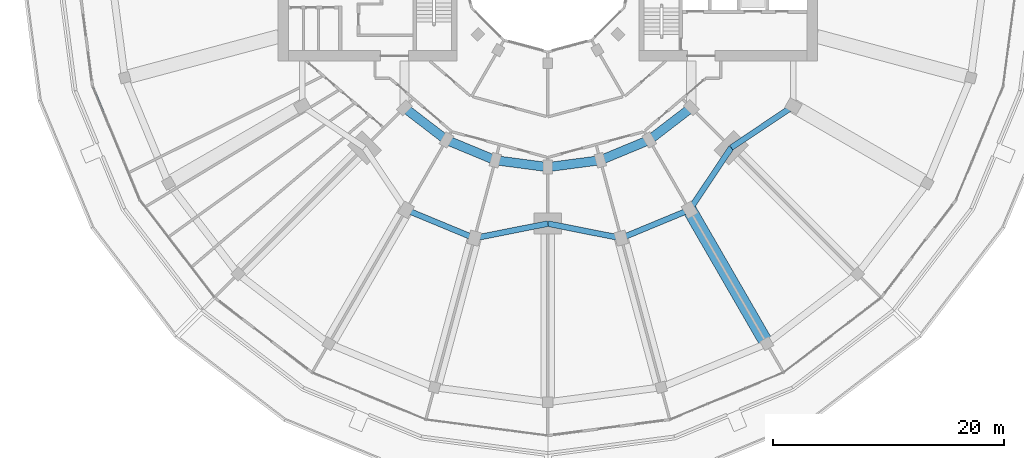
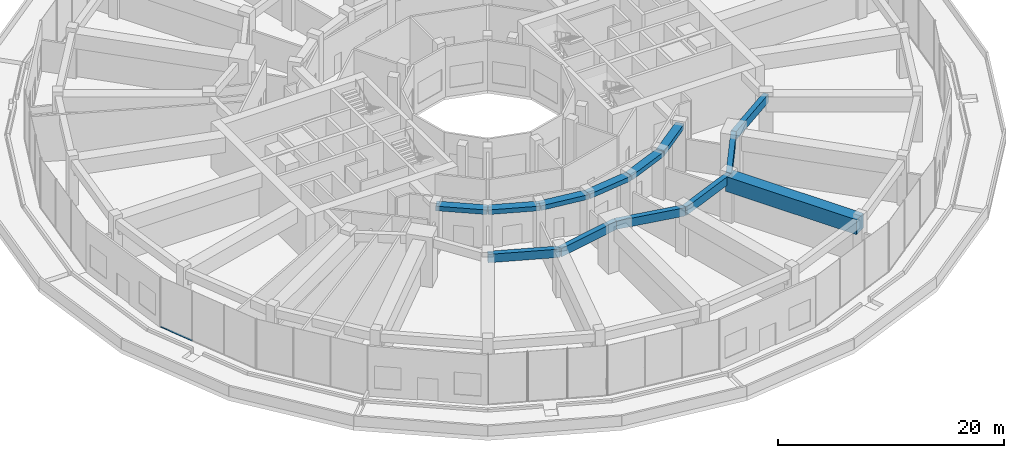
# One storey, part 7 of 30: 13 beams, 1 member, 1 element without a shape of its own.
"""IFC4 building model written with IfcOpenShell, lengths in metres."""

import ifcopenshell
import ifcopenshell.guid

model = None  # the IFC model being written
_history = None  # IfcOwnerHistory: only IFC2X3 demands one
_inside = {}  # id of a spatial element -> (the spatial element, [elements in it])
_under = {}  # id of a project, library or spatial element -> (it, [spatial elements below it])
_declared = {}  # id of a project -> (the project, [libraries it declares])
_typed = {}  # id of a type object -> (the type object, [elements of that type])
_made_of = {}  # id of a material, layer set ... -> (it, [elements and type objects made of it])


def new_model(schema):
    """Start an empty IFC model of exactly this schema.

    Asked for "IFC4X3", IfcOpenShell would pick the latest addendum, in which some entities
    have other attributes; the version numbers below select the first issue.
    IFC2X3 requires an IfcOwnerHistory on every rooted entity: one is made here for all.
    """
    global model, _history
    if schema == "IFC4X3":
        model = ifcopenshell.file(schema_version=(4, 3, 0, 0))
    else:
        model = ifcopenshell.file(schema=schema)
    _inside.clear()
    _under.clear()
    _declared.clear()
    _typed.clear()
    _made_of.clear()
    _history = None
    if model.schema == "IFC2X3":
        org = make("IfcOrganization", Name="unknown")
        user = make(
            "IfcPersonAndOrganization",
            ThePerson=make("IfcPerson", FamilyName="unknown"),
            TheOrganization=org,
        )
        app = make(
            "IfcApplication",
            ApplicationDeveloper=org,
            Version="unknown",
            ApplicationFullName="unknown",
            ApplicationIdentifier="unknown",
        )
        _history = make(
            "IfcOwnerHistory",
            OwningUser=user,
            OwningApplication=app,
            ChangeAction="ADDED",
            CreationDate=0,
        )
    return model


def make(cls, **values):
    """One entity of the class cls with the attributes given. An attribute that is None is left unset."""
    return model.create_entity(
        cls, **{name: value for name, value in values.items() if value is not None}
    )


def rooted(cls, **values):
    """An entity with a GlobalId (a new one), such as an element, a storey or a relation."""
    return make(cls, GlobalId=ifcopenshell.guid.new(), OwnerHistory=_history, **values)


def si_unit(unit_type, name, prefix=None):
    """IfcSIUnit, for example si_unit("LENGTHUNIT", "METRE", prefix="MILLI")."""
    return make("IfcSIUnit", UnitType=unit_type, Prefix=prefix, Name=name)


def assignment(units):
    """IfcUnitAssignment: the units of a project."""
    return None if units is None else make("IfcUnitAssignment", Units=units)


def point(xyz):
    """IfcCartesianPoint."""
    return None if xyz is None else make("IfcCartesianPoint", Coordinates=xyz)


def direction(xyz):
    """IfcDirection."""
    return None if xyz is None else make("IfcDirection", DirectionRatios=xyz)


def frame(location, z_axis=None, x_axis=None):
    """IfcAxis2Placement3D, a coordinate frame: its origin and axes. An axis left out is left unset."""
    return make(
        "IfcAxis2Placement3D",
        Location=point(location),
        Axis=direction(z_axis),
        RefDirection=direction(x_axis),
    )


def frame_2d(location, x_axis=None):
    """IfcAxis2Placement2D, a coordinate frame in the plane: its origin and x axis."""
    return make(
        "IfcAxis2Placement2D", Location=point(location), RefDirection=direction(x_axis)
    )


def origin():
    """The frame at (0, 0, 0) with its axes left unset."""
    return frame((0.0, 0.0, 0.0))


def origin_2d():
    """The frame at (0, 0) in the plane with its x axis left unset."""
    return frame_2d((0.0, 0.0))


def place(relative_to, where):
    """IfcLocalPlacement: puts the frame where relative to a parent placement (None: the world)."""
    return make(
        "IfcLocalPlacement", PlacementRelTo=relative_to, RelativePlacement=where
    )


def context(
    kind, dimensions, precision=None, world=None, true_north=None, identifier=None
):
    """IfcGeometricRepresentationContext, for example the 3D "Model" context."""
    return make(
        "IfcGeometricRepresentationContext",
        ContextIdentifier=identifier,
        ContextType=kind,
        CoordinateSpaceDimension=dimensions,
        Precision=precision,
        WorldCoordinateSystem=world,
        TrueNorth=true_north,
    )


def subcontext(parent, identifier, kind, view, scale=None):
    """IfcGeometricRepresentationSubContext, for example "Body" below "Model"."""
    return make(
        "IfcGeometricRepresentationSubContext",
        ContextIdentifier=identifier,
        ContextType=kind,
        ParentContext=parent,
        TargetScale=scale,
        TargetView=view,
    )


def project(units=None, contexts=None):
    """IfcProject with its units and contexts."""
    return rooted(
        "IfcProject",
        Name="project",
        RepresentationContexts=contexts,
        UnitsInContext=assignment(units),
    )


def spatial(cls, under=None, at=None, **own):
    """A site, building, storey or space (cls), placed at a placement, below another one or the project."""
    s = rooted(cls, ObjectPlacement=at, **own)
    if under is not None:
        _under.setdefault(under.id(), (under, []))[1].append(s)
    return s


def profile(cls, at=None, kind="AREA", **sizes):
    """A parametric profile (cls). Its sizes go by their IFC names, for example OverallWidth=200.0."""
    return make(cls, ProfileType=kind, Position=at, **sizes)


def rectangle(**sizes):
    """IfcRectangleProfileDef."""
    return profile("IfcRectangleProfileDef", **sizes)


def extrude(swept, where, along, depth):
    """IfcExtrudedAreaSolid: the profile swept, set in the frame where, extruded along a direction by depth."""
    return make(
        "IfcExtrudedAreaSolid",
        SweptArea=swept,
        Position=where,
        ExtrudedDirection=direction(along),
        Depth=depth,
    )


def shape(context_of_items, identifier, shape_type, items):
    """IfcShapeRepresentation: the items that make up one representation, for example the "Body"."""
    return make(
        "IfcShapeRepresentation",
        ContextOfItems=context_of_items,
        RepresentationIdentifier=identifier,
        RepresentationType=shape_type,
        Items=items,
    )


def material(Name=None, Category=None):
    """IfcMaterial."""
    return make("IfcMaterial", Name=Name, Category=Category)


def layer(
    of_material, thickness, ventilated=None, Name=None, Category=None, Priority=None
):
    """IfcMaterialLayer: one layer of a wall or slab, of a material (None: an air gap)."""
    return make(
        "IfcMaterialLayer",
        Material=of_material,
        LayerThickness=thickness,
        IsVentilated=ventilated,
        Name=Name,
        Category=Category,
        Priority=Priority,
    )


def layer_set(layers, Name=None):
    """IfcMaterialLayerSet."""
    return make("IfcMaterialLayerSet", MaterialLayers=layers, LayerSetName=Name)


def material_profile(
    of_material, cross_section, Name=None, Category=None, Priority=None
):
    """IfcMaterialProfile: a cross section and its material."""
    return make(
        "IfcMaterialProfile",
        Name=Name,
        Material=of_material,
        Profile=cross_section,
        Priority=Priority,
        Category=Category,
    )


def profile_set(profiles, Name=None, composite=None):
    """IfcMaterialProfileSet."""
    return make(
        "IfcMaterialProfileSet",
        Name=Name,
        MaterialProfiles=profiles,
        CompositeProfile=composite,
    )


def made_of(thing, what):
    """Note that an element or type object is made of a material, layer set ...; save() writes the relation."""
    if what is not None:
        _made_of.setdefault(what.id(), (what, []))[1].append(thing)
    return thing


def type_object(cls, material=None, **own):
    """A type object (cls), such as IfcWallType, which elements share."""
    return made_of(rooted(cls, **own), material)


def element(
    cls,
    number,
    at=None,
    inside=None,
    cuts=None,
    type_object=None,
    material=None,
    context=None,
    identifier="Body",
    shape_type=None,
    held_by="IfcProductDefinitionShape",
    body=None,
    shapes=None,
    **own,
):
    """One element of the class cls, such as IfcWall. Its Tag is "e" and its number.

    at: its placement. inside: the storey or other place that contains it. cuts: it is an
    opening in that element (IfcRelVoidsElement). A single representation is given by context,
    identifier, shape_type and body (its items); several are given by shapes. held_by: the class
    of the entity that holds the representations. save() writes the other relations.
    """
    e = rooted(cls, Tag="e%d" % number, ObjectPlacement=at, **own)
    if body is not None:
        shapes = [shape(context, identifier, shape_type, body)]
    if shapes is not None:
        e.Representation = make(held_by, Representations=shapes)
    if inside is not None:
        _inside.setdefault(inside.id(), (inside, []))[1].append(e)
    if cuts is not None:
        rooted(
            "IfcRelVoidsElement", RelatingBuildingElement=cuts, RelatedOpeningElement=e
        )
    if type_object is not None:
        _typed.setdefault(type_object.id(), (type_object, []))[1].append(e)
    return made_of(e, material)


def aggregate(whole, parts):
    """IfcRelAggregates: a whole, such as a stair, and the parts it consists of."""
    return rooted("IfcRelAggregates", RelatingObject=whole, RelatedObjects=parts)


def save(model, path):
    """Write the relations noted so far, then the file.

    IfcRelAggregates (storeys below a building ...), IfcRelContainedInSpatialStructure (elements
    in a storey), IfcRelDefinesByType, IfcRelAssociatesMaterial and IfcRelDeclares: one each for
    every whole, place, type object, material and project.
    """
    for whole, parts in _under.values():
        aggregate(whole, parts)
    for where, things in _inside.values():
        rooted(
            "IfcRelContainedInSpatialStructure",
            RelatedElements=things,
            RelatingStructure=where,
        )
    for kind, things in _typed.values():
        rooted("IfcRelDefinesByType", RelatedObjects=things, RelatingType=kind)
    for what, things in _made_of.values():
        rooted("IfcRelAssociatesMaterial", RelatedObjects=things, RelatingMaterial=what)
    for by, libraries in _declared.values():
        rooted("IfcRelDeclares", RelatingContext=by, RelatedDefinitions=libraries)
    model.write(path)


model = new_model("IFC4")

# Units and contexts
model_context = context("Model", 3, precision=1e-05, world=origin(), true_north=direction((0.0, 1.0)))
body_context = subcontext(model_context, "Body", "Model", "MODEL_VIEW")
ifc_project = project(units=[si_unit("LENGTHUNIT", "METRE"), si_unit("AREAUNIT", "SQUARE_METRE"), si_unit("VOLUMEUNIT", "CUBIC_METRE"), si_unit("PLANEANGLEUNIT", "RADIAN"), si_unit("MASSUNIT", "GRAM", prefix="KILO")], contexts=[model_context])

# Site, building, storey
site_placement = place(None, origin())
site = spatial("IfcSite", under=ifc_project, at=site_placement, CompositionType="ELEMENT")
building_placement = place(site_placement, origin())
building = spatial("IfcBuilding", under=site, at=building_placement, Name="Torre Brocal", CompositionType="ELEMENT")
storey_placement = place(building_placement, frame((0.0, 0.0, 7.0)))
storey = spatial("IfcBuildingStorey", under=building, at=storey_placement, Name="L01", CompositionType="ELEMENT", Elevation=7.0)

# Curtain wall, member
ifc_material_1 = material(Name="Aluminium and glass", Category="aluminium")
ifc_layer = layer(ifc_material_1, 0.199951171875)
ifc_layer_set = layer_set([ifc_layer], Name="Aluminium and glass")
curtain_wall_type = type_object("IfcCurtainWallType", Name="CW-3 CURTAIN WALL 5400 HIGH", PredefinedType="NOTDEFINED", material=ifc_layer_set)
curtain_wall_placement = place(storey_placement, origin())
curtain_wall = element("IfcCurtainWall", 1, at=curtain_wall_placement, inside=storey, type_object=curtain_wall_type, Name="CW-3 RUN 14", PredefinedType="NOTDEFINED")
ifc_material_2 = material(Name="Aluminium, dark anodised", Category="aluminium")
ifc_material_profile_1 = material_profile(ifc_material_2, rectangle(XDim=0.1201171875, YDim=0.06005859375, at=origin_2d()), Name="CW-3 TRANSOM 120X60")
ifc_profile_set_1 = profile_set([ifc_material_profile_1], Name="Aluminium, dark anodised")
member_type = type_object("IfcMemberType", Name="CW-3 TRANSOM 120X60", PredefinedType="USERDEFINED", material=ifc_profile_set_1)
member_placement = place(storey_placement, frame((40.513671875, 64.368408203125, 0.030029296875), z_axis=(0.382683934419, -0.923879324553, 0.0), x_axis=(0.923879324553, 0.382683934419, 0.0)))
member = element("IfcMember", 2, at=member_placement, type_object=member_type, Name="CW3-2 transom 1.1", ObjectType="TRANSOM", PredefinedType="USERDEFINED", context=body_context, shape_type="SweptSolid", body=[
    extrude(rectangle(XDim=0.1201171875, YDim=0.06005859375, at=origin_2d()), origin(), (0.0, 0.0, 1.0), 3.48388671875),
])
aggregate(curtain_wall, [member])

# Beams
ifc_material_3 = material(Name="Concrete C50", Category="concrete")
ifc_material_profile_2 = material_profile(ifc_material_3, rectangle(XDim=0.800048828125, YDim=0.5, at=origin_2d()), Name="RC 800X500")
ifc_profile_set_2 = profile_set([ifc_material_profile_2], Name="Concrete C50")
beam_type_1 = type_object("IfcBeamType", Name="RC BEAM 800X500 C50 TOP 4950", PredefinedType="BEAM", material=ifc_profile_set_2)
beam_1_placement = place(storey_placement, frame((67.554931640625, 62.554931640625, 4.699951171875), z_axis=(0.793358265959, -0.6087550097, 0.0), x_axis=(0.6087550097, 0.793358265959, 0.0)))
element("IfcBeam", 3, at=beam_1_placement, inside=storey, type_object=beam_type_1, Name="Beam BT-11", PredefinedType="BEAM", context=body_context, shape_type="SweptSolid", body=[
    extrude(rectangle(XDim=0.800048828125, YDim=0.5, at=origin_2d()), origin(), (0.0, 0.0, 1.0), 4.594482421875),
])
beam_2_placement = place(storey_placement, frame((71.199951171875, 59.758056640625, 4.699951171875), z_axis=(0.923878240166, -0.382686552348, 0.0), x_axis=(0.382686552348, 0.923878240166, 0.0)))
element("IfcBeam", 4, at=beam_2_placement, inside=storey, type_object=beam_type_1, Name="Beam BT-11", PredefinedType="BEAM", context=body_context, shape_type="SweptSolid", body=[
    extrude(rectangle(XDim=0.800048828125, YDim=0.5, at=origin_2d()), origin(), (0.0, 0.0, 1.0), 4.5947265625),
])
for number, where, z_axis, x_axis, name in (
    (5, (75.44482421875, 57.999755859375, 4.699951171875), (0.991440544449, -0.130558978332, 0.0), (0.130558978332, 0.991440544449, 0.0), "Beam BT-11"),
    (6, (80.0, 57.39990234375, 4.699951171875), (0.991440544449, 0.130558978332, 0.0), (-0.130558978332, 0.991440544449, 0.0), "Beam BT-11"),
):
    element("IfcBeam", number, at=place(storey_placement, frame(where, z_axis=z_axis, x_axis=x_axis)), inside=storey, type_object=beam_type_1, Name=name, PredefinedType="BEAM", context=body_context, shape_type="SweptSolid", body=[
        extrude(rectangle(XDim=0.800048828125, YDim=0.5, at=origin_2d()), origin(), (0.0, 0.0, 1.0), 4.594482421875),
    ])
beam_3_placement = place(storey_placement, frame((84.55517578125, 57.999755859375, 4.699951171875), z_axis=(0.923878240166, 0.382686552348, 0.0), x_axis=(-0.382686552348, 0.923878240166, 0.0)))
element("IfcBeam", 7, at=beam_3_placement, inside=storey, type_object=beam_type_1, Name="Beam BT-11", PredefinedType="BEAM", context=body_context, shape_type="SweptSolid", body=[
    extrude(rectangle(XDim=0.800048828125, YDim=0.5, at=origin_2d()), origin(), (0.0, 0.0, 1.0), 4.5947265625),
])
beam_4_placement = place(storey_placement, frame((88.800048828125, 59.758056640625, 4.699951171875), z_axis=(0.793358265959, 0.6087550097, 0.0), x_axis=(-0.6087550097, 0.793358265959, 0.0)))
element("IfcBeam", 8, at=beam_4_placement, inside=storey, type_object=beam_type_1, Name="Beam BT-11", PredefinedType="BEAM", context=body_context, shape_type="SweptSolid", body=[
    extrude(rectangle(XDim=0.800048828125, YDim=0.5, at=origin_2d()), origin(), (0.0, 0.0, 1.0), 4.594482421875),
])
ifc_material_4 = material(Name="Concrete C50", Category="concrete")
ifc_material_profile_3 = material_profile(ifc_material_4, rectangle(XDim=0.5, YDim=0.89990234375, at=origin_2d()), Name="RC 500X900")
ifc_profile_set_3 = profile_set([ifc_material_profile_3], Name="Concrete C50")
beam_type_2 = type_object("IfcBeamType", Name="RC SPANDREL BEAM 500X900 C50 TOP 4950", PredefinedType="SPANDREL", material=ifc_profile_set_3)
beam_5_placement = place(storey_placement, frame((67.699951171875, 53.69580078125, 4.5), z_axis=(0.923882462513, -0.382676358639, 0.0), x_axis=(0.382676358639, 0.923882462513, 0.0)))
element("IfcBeam", 9, at=beam_5_placement, inside=storey, type_object=beam_type_2, Name="Beam BT-12", PredefinedType="SPANDREL", context=body_context, shape_type="SweptSolid", body=[
    extrude(rectangle(XDim=0.5, YDim=0.89990234375, at=origin_2d()), origin(), (0.0, 0.0, 1.0), 6.421875),
])
for number, where, z_axis, x_axis, name in (
    (10, (73.633056640625, 51.23828125, 4.5), (0.980924907484, 0.194387051723, 0.0), (-0.194387051723, 0.980924907484, 0.0), "Beam BT-12"),
    (11, (80.0, 52.5, 4.5), (0.980924907484, -0.194387051723, 0.0), (0.194387051723, 0.980924907484, 0.0), "Beam BT-12"),
):
    element("IfcBeam", number, at=place(storey_placement, frame(where, z_axis=z_axis, x_axis=x_axis)), inside=storey, type_object=beam_type_2, Name=name, PredefinedType="SPANDREL", context=body_context, shape_type="SweptSolid", body=[
        extrude(rectangle(XDim=0.5, YDim=0.89990234375, at=origin_2d()), origin(), (0.0, 0.0, 1.0), 6.49072265625),
    ])
beam_6_placement = place(storey_placement, frame((86.366943359375, 51.23828125, 4.5), z_axis=(0.923882462513, 0.382676358639, 0.0), x_axis=(-0.382676358639, 0.923882462513, 0.0)))
element("IfcBeam", 12, at=beam_6_placement, inside=storey, type_object=beam_type_2, Name="Beam BT-12", PredefinedType="SPANDREL", context=body_context, shape_type="SweptSolid", body=[
    extrude(rectangle(XDim=0.5, YDim=0.89990234375, at=origin_2d()), origin(), (0.0, 0.0, 1.0), 6.421875),
])
for number, where, z_axis, x_axis, name in (
    (13, (92.300048828125, 53.69580078125, 4.5), (0.556157602282, 0.831076844476, 0.0), (-0.831076844476, 0.556157602282, 0.0), "Beam BT-12"),
    (14, (95.909912109375, 59.090087890625, 4.5), (0.831076844476, 0.556157602282, 0.0), (-0.556157602282, 0.831076844476, 0.0), "Beam BT-12"),
):
    element("IfcBeam", number, at=place(storey_placement, frame(where, z_axis=z_axis, x_axis=x_axis)), inside=storey, type_object=beam_type_2, Name=name, PredefinedType="SPANDREL", context=body_context, shape_type="SweptSolid", body=[
        extrude(rectangle(XDim=0.5, YDim=0.89990234375, at=origin_2d()), origin(), (0.0, 0.0, 1.0), 6.49072265625),
    ])
ifc_material_5 = material(Name="Concrete C60", Category="concrete")
ifc_material_profile_4 = material_profile(ifc_material_5, rectangle(XDim=1.199951171875, YDim=1.60009765625, at=origin_2d()), Name="RC 1200X1600")
ifc_profile_set_4 = profile_set([ifc_material_profile_4], Name="Concrete C60")
beam_type_3 = type_object("IfcBeamType", Name="RC TRANSFER GIRDER 1200X1600 C60 TOP 4950", PredefinedType="BEAM", material=ifc_profile_set_4)
beam_7_placement = place(storey_placement, frame((92.300048828125, 53.69580078125, 4.14990234375), z_axis=(0.499997399001, -0.866026905467, 0.0), x_axis=(0.866026905467, 0.499997399001, 0.0)))
element("IfcBeam", 15, at=beam_7_placement, inside=storey, type_object=beam_type_3, Name="Beam TG-02", PredefinedType="BEAM", context=body_context, shape_type="SweptSolid", body=[
    extrude(rectangle(XDim=1.199951171875, YDim=1.60009765625, at=origin_2d()), origin(), (0.0, 0.0, 1.0), 13.39990234375),
])

save(model, "model.ifc")
